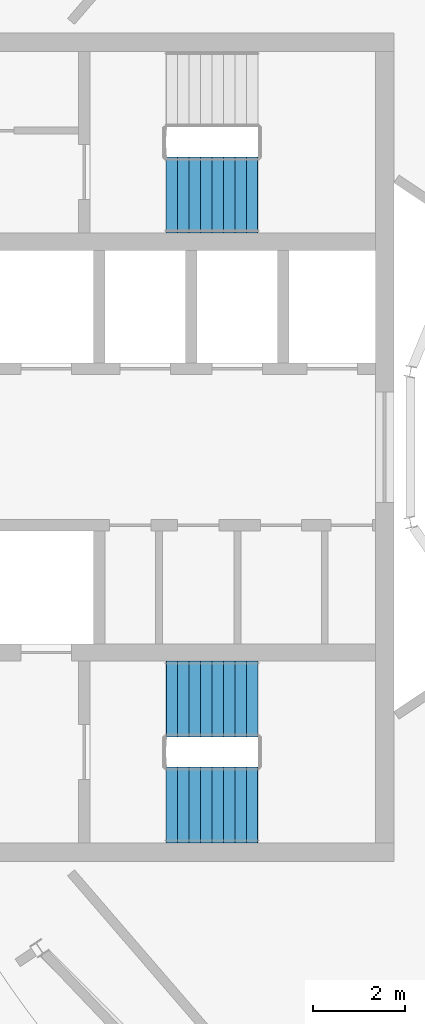
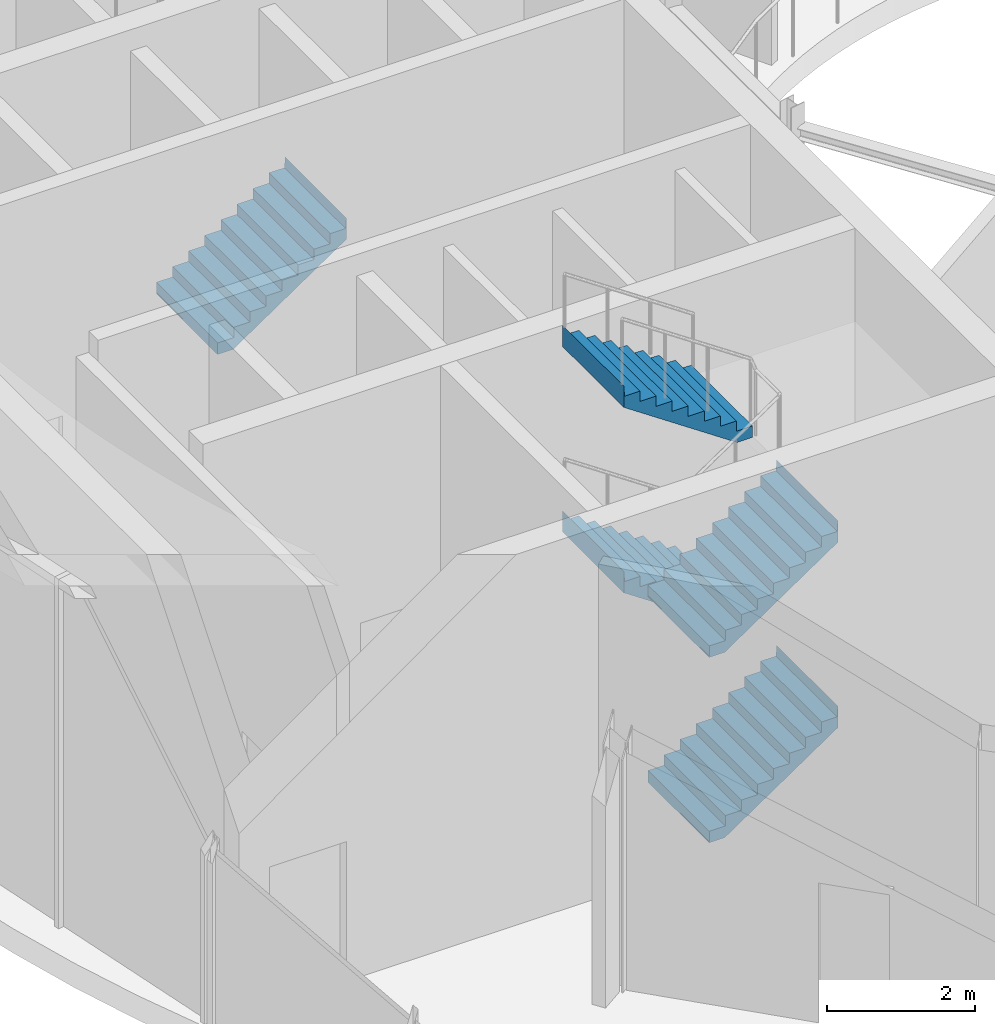
# One storey, part 15 of 20: 5 stair flights, 2 elements without a shape of their own.
"""IFC4 building model written with IfcOpenShell, lengths in metres."""

from ifc_helpers import new_model, si_unit, direction, frame, origin, place, context, subcontext, project, spatial, triangles, material, type_object, element, aggregate, save


model = new_model("IFC4")

# Units and contexts
model_context = context("Model", 3, precision=1e-05, world=origin(), true_north=direction((0.0, 1.0)))
body_context = subcontext(model_context, "Body", "Model", "MODEL_VIEW")
ifc_project = project(units=[si_unit("LENGTHUNIT", "METRE"), si_unit("AREAUNIT", "SQUARE_METRE"), si_unit("VOLUMEUNIT", "CUBIC_METRE"), si_unit("PLANEANGLEUNIT", "RADIAN"), si_unit("MASSUNIT", "GRAM", prefix="KILO")], contexts=[model_context])

# Site, building, storey
site_placement = place(None, origin())
site = spatial("IfcSite", under=ifc_project, at=site_placement, CompositionType="ELEMENT")
building_placement = place(site_placement, origin())
building = spatial("IfcBuilding", under=site, at=building_placement, Name="Maasbend Ring Residences", CompositionType="ELEMENT")
storey_placement = place(building_placement, frame((0.0, 0.0, 255.39990234375)))
storey = spatial("IfcBuildingStorey", under=building, at=storey_placement, Name="L74", CompositionType="ELEMENT", Elevation=255.39990234375)

# Stair, stair flights
ifc_material_1 = material(Name="Concrete C40/50", Category="concrete")
stair_type = type_object("IfcStairType", Name="CORE STAIR 36 RISERS", PredefinedType="HALF_TURN_STAIR", material=ifc_material_1)
stair_1_placement = place(storey_placement, origin())
stair_1 = element("IfcStair", 1, at=stair_1_placement, inside=storey, type_object=stair_type, Name="L74 Exit stair ST-W1", PredefinedType="HALF_TURN_STAIR")
ifc_material_2 = material(Name="Concrete C40/50", Category="concrete")
stair_flight_type = type_object("IfcStairFlightType", Name="CORE STAIR FLIGHT 1650", PredefinedType="STRAIGHT", material=ifc_material_2)
stair_flight_1_placement = place(storey_placement, frame((-13.550048828125, -7.77490234375, 0.0), z_axis=(0.0, 0.0, 1.0), x_axis=(1.0, 0.0, 0.0)))
stair_flight_1 = element("IfcStairFlight", 2, at=stair_flight_1_placement, type_object=stair_flight_type, Name="ST-W1 flight 1", NumberOfRisers=9, NumberOfTreads=8, PredefinedType="STRAIGHT", RiserHeight=0.169444444, TreadLength=0.25, context=body_context, shape_type="Tessellation", body=[
    triangles([(0.24072265625, 0.824951171875, -0.02001953125), (2.0029296875, 0.824951171875, 1.174560546875), (2.0029296875, 0.824951171875, 1.52490234375), (1.989990234375, 0.824951171875, 1.35546875), (1.75, 0.824951171875, 1.35546875), (1.75, 0.824951171875, 1.18603515625), (1.5, 0.824951171875, 1.18603515625), (1.5, 0.824951171875, 1.0166015625), (1.25, 0.824951171875, 1.0166015625), (1.25, 0.824951171875, 0.84716796875), (1.0, 0.824951171875, 0.84716796875), (1.0, 0.824951171875, 0.677734375), (0.75, 0.824951171875, 0.677734375), (0.75, 0.824951171875, 0.50830078125), (0.5, 0.824951171875, 0.50830078125), (0.5, 0.824951171875, 0.3388671875), (0.25, 0.824951171875, 0.3388671875), (0.25, 0.824951171875, 0.16943359375), (0.0, 0.824951171875, 0.16943359375), (0.0, 0.824951171875, 0.0), (-0.0029296875, 0.824951171875, 0.0), (-0.0029296875, 0.824951171875, -0.02001953125), (0.24072265625, 0.27490234375, -0.02001953125), (2.0029296875, 0.27490234375, 1.174560546875), (2.0029296875, 0.27490234375, 1.52490234375), (1.989990234375, 0.27490234375, 1.35546875), (1.75, 0.27490234375, 1.35546875), (1.75, 0.27490234375, 1.18603515625), (1.5, 0.27490234375, 1.18603515625), (1.5, 0.27490234375, 1.0166015625), (1.25, 0.27490234375, 1.0166015625), (1.25, 0.27490234375, 0.84716796875), (1.0, 0.27490234375, 0.84716796875), (1.0, 0.27490234375, 0.677734375), (0.75, 0.27490234375, 0.677734375), (0.75, 0.27490234375, 0.50830078125), (0.5, 0.27490234375, 0.50830078125), (0.5, 0.27490234375, 0.3388671875), (0.25, 0.27490234375, 0.3388671875), (0.25, 0.27490234375, 0.16943359375), (0.0, 0.27490234375, 0.16943359375), (0.0, 0.27490234375, 0.0), (-0.0029296875, 0.27490234375, 0.0), (-0.0029296875, 0.27490234375, -0.02001953125), (0.24072265625, -0.27490234375, -0.02001953125), (2.0029296875, -0.27490234375, 1.174560546875), (2.0029296875, -0.27490234375, 1.52490234375), (1.989990234375, -0.27490234375, 1.35546875), (1.75, -0.27490234375, 1.35546875), (1.75, -0.27490234375, 1.18603515625), (1.5, -0.27490234375, 1.18603515625), (1.5, -0.27490234375, 1.0166015625), (1.25, -0.27490234375, 1.0166015625), (1.25, -0.27490234375, 0.84716796875), (1.0, -0.27490234375, 0.84716796875), (1.0, -0.27490234375, 0.677734375), (0.75, -0.27490234375, 0.677734375), (0.75, -0.27490234375, 0.50830078125), (0.5, -0.27490234375, 0.50830078125), (0.5, -0.27490234375, 0.3388671875), (0.25, -0.27490234375, 0.3388671875), (0.25, -0.27490234375, 0.16943359375), (0.0, -0.27490234375, 0.16943359375), (0.0, -0.27490234375, 0.0), (-0.0029296875, -0.27490234375, 0.0), (-0.0029296875, -0.27490234375, -0.02001953125), (0.24072265625, -0.824951171875, -0.02001953125), (2.0029296875, -0.824951171875, 1.174560546875), (2.0029296875, -0.824951171875, 1.52490234375), (1.989990234375, -0.824951171875, 1.35546875), (1.75, -0.824951171875, 1.35546875), (1.75, -0.824951171875, 1.18603515625), (1.5, -0.824951171875, 1.18603515625), (1.5, -0.824951171875, 1.0166015625), (1.25, -0.824951171875, 1.0166015625), (1.25, -0.824951171875, 0.84716796875), (1.0, -0.824951171875, 0.84716796875), (1.0, -0.824951171875, 0.677734375), (0.75, -0.824951171875, 0.677734375), (0.75, -0.824951171875, 0.50830078125), (0.5, -0.824951171875, 0.50830078125), (0.5, -0.824951171875, 0.3388671875), (0.25, -0.824951171875, 0.3388671875), (0.25, -0.824951171875, 0.16943359375), (0.0, -0.824951171875, 0.16943359375), (0.0, -0.824951171875, 0.0), (-0.0029296875, -0.824951171875, 0.0), (-0.0029296875, -0.824951171875, -0.02001953125)], [[1, 2, 24], [1, 24, 23], [23, 24, 46], [23, 46, 45], [45, 46, 68], [45, 68, 67], [2, 3, 25], [2, 25, 24], [24, 25, 47], [24, 47, 46], [46, 47, 69], [46, 69, 68], [3, 4, 26], [3, 26, 25], [25, 26, 48], [25, 48, 47], [47, 48, 70], [47, 70, 69], [4, 5, 27], [4, 27, 26], [26, 27, 49], [26, 49, 48], [48, 49, 71], [48, 71, 70], [5, 6, 28], [5, 28, 27], [27, 28, 50], [27, 50, 49], [49, 50, 72], [49, 72, 71], [6, 7, 29], [6, 29, 28], [28, 29, 51], [28, 51, 50], [50, 51, 73], [50, 73, 72], [7, 8, 30], [7, 30, 29], [29, 30, 52], [29, 52, 51], [51, 52, 74], [51, 74, 73], [8, 9, 31], [8, 31, 30], [30, 31, 53], [30, 53, 52], [52, 53, 75], [52, 75, 74], [9, 10, 32], [9, 32, 31], [31, 32, 54], [31, 54, 53], [53, 54, 76], [53, 76, 75], [10, 11, 33], [10, 33, 32], [32, 33, 55], [32, 55, 54], [54, 55, 77], [54, 77, 76], [11, 12, 34], [11, 34, 33], [33, 34, 56], [33, 56, 55], [55, 56, 78], [55, 78, 77], [12, 13, 35], [12, 35, 34], [34, 35, 57], [34, 57, 56], [56, 57, 79], [56, 79, 78], [13, 14, 36], [13, 36, 35], [35, 36, 58], [35, 58, 57], [57, 58, 80], [57, 80, 79], [14, 15, 37], [14, 37, 36], [36, 37, 59], [36, 59, 58], [58, 59, 81], [58, 81, 80], [15, 16, 38], [15, 38, 37], [37, 38, 60], [37, 60, 59], [59, 60, 82], [59, 82, 81], [16, 17, 39], [16, 39, 38], [38, 39, 61], [38, 61, 60], [60, 61, 83], [60, 83, 82], [17, 18, 40], [17, 40, 39], [39, 40, 62], [39, 62, 61], [61, 62, 84], [61, 84, 83], [18, 19, 41], [18, 41, 40], [40, 41, 63], [40, 63, 62], [62, 63, 85], [62, 85, 84], [19, 20, 42], [19, 42, 41], [41, 42, 64], [41, 64, 63], [63, 64, 86], [63, 86, 85], [20, 21, 43], [20, 43, 42], [42, 43, 65], [42, 65, 64], [64, 65, 87], [64, 87, 86], [21, 22, 44], [21, 44, 43], [43, 44, 66], [43, 66, 65], [65, 66, 88], [65, 88, 87], [22, 1, 23], [22, 23, 44], [44, 23, 45], [44, 45, 66], [66, 45, 67], [66, 67, 88], [22, 2, 1], [2, 4, 3], [2, 5, 4], [2, 6, 5], [22, 6, 2], [6, 8, 7], [22, 8, 6], [8, 10, 9], [22, 10, 8], [10, 12, 11], [22, 12, 10], [12, 14, 13], [22, 14, 12], [14, 16, 15], [22, 16, 14], [16, 18, 17], [22, 18, 16], [18, 20, 19], [22, 20, 18], [20, 22, 21], [88, 67, 68], [68, 69, 70], [68, 70, 71], [68, 71, 72], [88, 68, 72], [72, 73, 74], [88, 72, 74], [74, 75, 76], [88, 74, 76], [76, 77, 78], [88, 76, 78], [78, 79, 80], [88, 78, 80], [80, 81, 82], [88, 80, 82], [82, 83, 84], [88, 82, 84], [84, 85, 86], [88, 84, 86], [86, 87, 88]], closed=True),
])
stair_flight_2_placement = place(storey_placement, frame((-11.550048828125, -5.47509765625, 1.525146484375), z_axis=(0.0, 0.0, 1.0), x_axis=(-1.0, 0.0, 0.0)))
stair_flight_2 = element("IfcStairFlight", 3, at=stair_flight_2_placement, type_object=stair_flight_type, Name="ST-W1 flight 2", NumberOfRisers=9, NumberOfTreads=8, PredefinedType="STRAIGHT", RiserHeight=0.169444444, TreadLength=0.25, context=body_context, shape_type="Tessellation", body=[
    triangles([(0.24072265625, 0.824951171875, -0.02001953125), (2.0029296875, 0.824951171875, 1.174560546875), (2.0029296875, 0.824951171875, 1.52490234375), (1.989990234375, 0.824951171875, 1.35546875), (1.75, 0.824951171875, 1.35546875), (1.75, 0.824951171875, 1.18603515625), (1.5, 0.824951171875, 1.18603515625), (1.5, 0.824951171875, 1.0166015625), (1.25, 0.824951171875, 1.0166015625), (1.25, 0.824951171875, 0.84716796875), (1.0, 0.824951171875, 0.84716796875), (1.0, 0.824951171875, 0.677734375), (0.75, 0.824951171875, 0.677734375), (0.75, 0.824951171875, 0.50830078125), (0.5, 0.824951171875, 0.50830078125), (0.5, 0.824951171875, 0.3388671875), (0.25, 0.824951171875, 0.3388671875), (0.25, 0.824951171875, 0.16943359375), (0.0, 0.824951171875, 0.16943359375), (0.0, 0.824951171875, 0.0), (-0.0029296875, 0.824951171875, 0.0), (-0.0029296875, 0.824951171875, -0.02001953125), (0.24072265625, 0.27490234375, -0.02001953125), (2.0029296875, 0.27490234375, 1.174560546875), (2.0029296875, 0.27490234375, 1.52490234375), (1.989990234375, 0.27490234375, 1.35546875), (1.75, 0.27490234375, 1.35546875), (1.75, 0.27490234375, 1.18603515625), (1.5, 0.27490234375, 1.18603515625), (1.5, 0.27490234375, 1.0166015625), (1.25, 0.27490234375, 1.0166015625), (1.25, 0.27490234375, 0.84716796875), (1.0, 0.27490234375, 0.84716796875), (1.0, 0.27490234375, 0.677734375), (0.75, 0.27490234375, 0.677734375), (0.75, 0.27490234375, 0.50830078125), (0.5, 0.27490234375, 0.50830078125), (0.5, 0.27490234375, 0.3388671875), (0.25, 0.27490234375, 0.3388671875), (0.25, 0.27490234375, 0.16943359375), (0.0, 0.27490234375, 0.16943359375), (0.0, 0.27490234375, 0.0), (-0.0029296875, 0.27490234375, 0.0), (-0.0029296875, 0.27490234375, -0.02001953125), (0.24072265625, -0.27490234375, -0.02001953125), (2.0029296875, -0.27490234375, 1.174560546875), (2.0029296875, -0.27490234375, 1.52490234375), (1.989990234375, -0.27490234375, 1.35546875), (1.75, -0.27490234375, 1.35546875), (1.75, -0.27490234375, 1.18603515625), (1.5, -0.27490234375, 1.18603515625), (1.5, -0.27490234375, 1.0166015625), (1.25, -0.27490234375, 1.0166015625), (1.25, -0.27490234375, 0.84716796875), (1.0, -0.27490234375, 0.84716796875), (1.0, -0.27490234375, 0.677734375), (0.75, -0.27490234375, 0.677734375), (0.75, -0.27490234375, 0.50830078125), (0.5, -0.27490234375, 0.50830078125), (0.5, -0.27490234375, 0.3388671875), (0.25, -0.27490234375, 0.3388671875), (0.25, -0.27490234375, 0.16943359375), (0.0, -0.27490234375, 0.16943359375), (0.0, -0.27490234375, 0.0), (-0.0029296875, -0.27490234375, 0.0), (-0.0029296875, -0.27490234375, -0.02001953125), (0.24072265625, -0.824951171875, -0.02001953125), (2.0029296875, -0.824951171875, 1.174560546875), (2.0029296875, -0.824951171875, 1.52490234375), (1.989990234375, -0.824951171875, 1.35546875), (1.75, -0.824951171875, 1.35546875), (1.75, -0.824951171875, 1.18603515625), (1.5, -0.824951171875, 1.18603515625), (1.5, -0.824951171875, 1.0166015625), (1.25, -0.824951171875, 1.0166015625), (1.25, -0.824951171875, 0.84716796875), (1.0, -0.824951171875, 0.84716796875), (1.0, -0.824951171875, 0.677734375), (0.75, -0.824951171875, 0.677734375), (0.75, -0.824951171875, 0.50830078125), (0.5, -0.824951171875, 0.50830078125), (0.5, -0.824951171875, 0.3388671875), (0.25, -0.824951171875, 0.3388671875), (0.25, -0.824951171875, 0.16943359375), (0.0, -0.824951171875, 0.16943359375), (0.0, -0.824951171875, 0.0), (-0.0029296875, -0.824951171875, 0.0), (-0.0029296875, -0.824951171875, -0.02001953125)], [[1, 2, 24], [1, 24, 23], [23, 24, 46], [23, 46, 45], [45, 46, 68], [45, 68, 67], [2, 3, 25], [2, 25, 24], [24, 25, 47], [24, 47, 46], [46, 47, 69], [46, 69, 68], [3, 4, 26], [3, 26, 25], [25, 26, 48], [25, 48, 47], [47, 48, 70], [47, 70, 69], [4, 5, 27], [4, 27, 26], [26, 27, 49], [26, 49, 48], [48, 49, 71], [48, 71, 70], [5, 6, 28], [5, 28, 27], [27, 28, 50], [27, 50, 49], [49, 50, 72], [49, 72, 71], [6, 7, 29], [6, 29, 28], [28, 29, 51], [28, 51, 50], [50, 51, 73], [50, 73, 72], [7, 8, 30], [7, 30, 29], [29, 30, 52], [29, 52, 51], [51, 52, 74], [51, 74, 73], [8, 9, 31], [8, 31, 30], [30, 31, 53], [30, 53, 52], [52, 53, 75], [52, 75, 74], [9, 10, 32], [9, 32, 31], [31, 32, 54], [31, 54, 53], [53, 54, 76], [53, 76, 75], [10, 11, 33], [10, 33, 32], [32, 33, 55], [32, 55, 54], [54, 55, 77], [54, 77, 76], [11, 12, 34], [11, 34, 33], [33, 34, 56], [33, 56, 55], [55, 56, 78], [55, 78, 77], [12, 13, 35], [12, 35, 34], [34, 35, 57], [34, 57, 56], [56, 57, 79], [56, 79, 78], [13, 14, 36], [13, 36, 35], [35, 36, 58], [35, 58, 57], [57, 58, 80], [57, 80, 79], [14, 15, 37], [14, 37, 36], [36, 37, 59], [36, 59, 58], [58, 59, 81], [58, 81, 80], [15, 16, 38], [15, 38, 37], [37, 38, 60], [37, 60, 59], [59, 60, 82], [59, 82, 81], [16, 17, 39], [16, 39, 38], [38, 39, 61], [38, 61, 60], [60, 61, 83], [60, 83, 82], [17, 18, 40], [17, 40, 39], [39, 40, 62], [39, 62, 61], [61, 62, 84], [61, 84, 83], [18, 19, 41], [18, 41, 40], [40, 41, 63], [40, 63, 62], [62, 63, 85], [62, 85, 84], [19, 20, 42], [19, 42, 41], [41, 42, 64], [41, 64, 63], [63, 64, 86], [63, 86, 85], [20, 21, 43], [20, 43, 42], [42, 43, 65], [42, 65, 64], [64, 65, 87], [64, 87, 86], [21, 22, 44], [21, 44, 43], [43, 44, 66], [43, 66, 65], [65, 66, 88], [65, 88, 87], [22, 1, 23], [22, 23, 44], [44, 23, 45], [44, 45, 66], [66, 45, 67], [66, 67, 88], [22, 2, 1], [2, 4, 3], [2, 5, 4], [2, 6, 5], [22, 6, 2], [6, 8, 7], [22, 8, 6], [8, 10, 9], [22, 10, 8], [10, 12, 11], [22, 12, 10], [12, 14, 13], [22, 14, 12], [14, 16, 15], [22, 16, 14], [16, 18, 17], [22, 18, 16], [18, 20, 19], [22, 20, 18], [20, 22, 21], [88, 67, 68], [68, 69, 70], [68, 70, 71], [68, 71, 72], [88, 68, 72], [72, 73, 74], [88, 72, 74], [74, 75, 76], [88, 74, 76], [76, 77, 78], [88, 76, 78], [78, 79, 80], [88, 78, 80], [80, 81, 82], [88, 80, 82], [82, 83, 84], [88, 82, 84], [84, 85, 86], [88, 84, 86], [86, 87, 88]], closed=True),
])
stair_flight_3_placement = place(storey_placement, frame((-13.550048828125, -7.77490234375, 3.050048828125), z_axis=(0.0, 0.0, 1.0), x_axis=(1.0, 0.0, 0.0)))
stair_flight_3 = element("IfcStairFlight", 4, at=stair_flight_3_placement, type_object=stair_flight_type, Name="ST-W1 flight 3", NumberOfRisers=9, NumberOfTreads=8, PredefinedType="STRAIGHT", RiserHeight=0.169444444, TreadLength=0.25, context=body_context, shape_type="Tessellation", body=[
    triangles([(0.24072265625, 0.824951171875, -0.02001953125), (2.0029296875, 0.824951171875, 1.174560546875), (2.0029296875, 0.824951171875, 1.52490234375), (1.989990234375, 0.824951171875, 1.35546875), (1.75, 0.824951171875, 1.35546875), (1.75, 0.824951171875, 1.18603515625), (1.5, 0.824951171875, 1.18603515625), (1.5, 0.824951171875, 1.0166015625), (1.25, 0.824951171875, 1.0166015625), (1.25, 0.824951171875, 0.84716796875), (1.0, 0.824951171875, 0.84716796875), (1.0, 0.824951171875, 0.677734375), (0.75, 0.824951171875, 0.677734375), (0.75, 0.824951171875, 0.50830078125), (0.5, 0.824951171875, 0.50830078125), (0.5, 0.824951171875, 0.3388671875), (0.25, 0.824951171875, 0.3388671875), (0.25, 0.824951171875, 0.16943359375), (0.0, 0.824951171875, 0.16943359375), (0.0, 0.824951171875, 0.0), (-0.0029296875, 0.824951171875, 0.0), (-0.0029296875, 0.824951171875, -0.02001953125), (0.24072265625, 0.27490234375, -0.02001953125), (2.0029296875, 0.27490234375, 1.174560546875), (2.0029296875, 0.27490234375, 1.52490234375), (1.989990234375, 0.27490234375, 1.35546875), (1.75, 0.27490234375, 1.35546875), (1.75, 0.27490234375, 1.18603515625), (1.5, 0.27490234375, 1.18603515625), (1.5, 0.27490234375, 1.0166015625), (1.25, 0.27490234375, 1.0166015625), (1.25, 0.27490234375, 0.84716796875), (1.0, 0.27490234375, 0.84716796875), (1.0, 0.27490234375, 0.677734375), (0.75, 0.27490234375, 0.677734375), (0.75, 0.27490234375, 0.50830078125), (0.5, 0.27490234375, 0.50830078125), (0.5, 0.27490234375, 0.3388671875), (0.25, 0.27490234375, 0.3388671875), (0.25, 0.27490234375, 0.16943359375), (0.0, 0.27490234375, 0.16943359375), (0.0, 0.27490234375, 0.0), (-0.0029296875, 0.27490234375, 0.0), (-0.0029296875, 0.27490234375, -0.02001953125), (0.24072265625, -0.27490234375, -0.02001953125), (2.0029296875, -0.27490234375, 1.174560546875), (2.0029296875, -0.27490234375, 1.52490234375), (1.989990234375, -0.27490234375, 1.35546875), (1.75, -0.27490234375, 1.35546875), (1.75, -0.27490234375, 1.18603515625), (1.5, -0.27490234375, 1.18603515625), (1.5, -0.27490234375, 1.0166015625), (1.25, -0.27490234375, 1.0166015625), (1.25, -0.27490234375, 0.84716796875), (1.0, -0.27490234375, 0.84716796875), (1.0, -0.27490234375, 0.677734375), (0.75, -0.27490234375, 0.677734375), (0.75, -0.27490234375, 0.50830078125), (0.5, -0.27490234375, 0.50830078125), (0.5, -0.27490234375, 0.3388671875), (0.25, -0.27490234375, 0.3388671875), (0.25, -0.27490234375, 0.16943359375), (0.0, -0.27490234375, 0.16943359375), (0.0, -0.27490234375, 0.0), (-0.0029296875, -0.27490234375, 0.0), (-0.0029296875, -0.27490234375, -0.02001953125), (0.24072265625, -0.824951171875, -0.02001953125), (2.0029296875, -0.824951171875, 1.174560546875), (2.0029296875, -0.824951171875, 1.52490234375), (1.989990234375, -0.824951171875, 1.35546875), (1.75, -0.824951171875, 1.35546875), (1.75, -0.824951171875, 1.18603515625), (1.5, -0.824951171875, 1.18603515625), (1.5, -0.824951171875, 1.0166015625), (1.25, -0.824951171875, 1.0166015625), (1.25, -0.824951171875, 0.84716796875), (1.0, -0.824951171875, 0.84716796875), (1.0, -0.824951171875, 0.677734375), (0.75, -0.824951171875, 0.677734375), (0.75, -0.824951171875, 0.50830078125), (0.5, -0.824951171875, 0.50830078125), (0.5, -0.824951171875, 0.3388671875), (0.25, -0.824951171875, 0.3388671875), (0.25, -0.824951171875, 0.16943359375), (0.0, -0.824951171875, 0.16943359375), (0.0, -0.824951171875, 0.0), (-0.0029296875, -0.824951171875, 0.0), (-0.0029296875, -0.824951171875, -0.02001953125)], [[1, 2, 24], [1, 24, 23], [23, 24, 46], [23, 46, 45], [45, 46, 68], [45, 68, 67], [2, 3, 25], [2, 25, 24], [24, 25, 47], [24, 47, 46], [46, 47, 69], [46, 69, 68], [3, 4, 26], [3, 26, 25], [25, 26, 48], [25, 48, 47], [47, 48, 70], [47, 70, 69], [4, 5, 27], [4, 27, 26], [26, 27, 49], [26, 49, 48], [48, 49, 71], [48, 71, 70], [5, 6, 28], [5, 28, 27], [27, 28, 50], [27, 50, 49], [49, 50, 72], [49, 72, 71], [6, 7, 29], [6, 29, 28], [28, 29, 51], [28, 51, 50], [50, 51, 73], [50, 73, 72], [7, 8, 30], [7, 30, 29], [29, 30, 52], [29, 52, 51], [51, 52, 74], [51, 74, 73], [8, 9, 31], [8, 31, 30], [30, 31, 53], [30, 53, 52], [52, 53, 75], [52, 75, 74], [9, 10, 32], [9, 32, 31], [31, 32, 54], [31, 54, 53], [53, 54, 76], [53, 76, 75], [10, 11, 33], [10, 33, 32], [32, 33, 55], [32, 55, 54], [54, 55, 77], [54, 77, 76], [11, 12, 34], [11, 34, 33], [33, 34, 56], [33, 56, 55], [55, 56, 78], [55, 78, 77], [12, 13, 35], [12, 35, 34], [34, 35, 57], [34, 57, 56], [56, 57, 79], [56, 79, 78], [13, 14, 36], [13, 36, 35], [35, 36, 58], [35, 58, 57], [57, 58, 80], [57, 80, 79], [14, 15, 37], [14, 37, 36], [36, 37, 59], [36, 59, 58], [58, 59, 81], [58, 81, 80], [15, 16, 38], [15, 38, 37], [37, 38, 60], [37, 60, 59], [59, 60, 82], [59, 82, 81], [16, 17, 39], [16, 39, 38], [38, 39, 61], [38, 61, 60], [60, 61, 83], [60, 83, 82], [17, 18, 40], [17, 40, 39], [39, 40, 62], [39, 62, 61], [61, 62, 84], [61, 84, 83], [18, 19, 41], [18, 41, 40], [40, 41, 63], [40, 63, 62], [62, 63, 85], [62, 85, 84], [19, 20, 42], [19, 42, 41], [41, 42, 64], [41, 64, 63], [63, 64, 86], [63, 86, 85], [20, 21, 43], [20, 43, 42], [42, 43, 65], [42, 65, 64], [64, 65, 87], [64, 87, 86], [21, 22, 44], [21, 44, 43], [43, 44, 66], [43, 66, 65], [65, 66, 88], [65, 88, 87], [22, 1, 23], [22, 23, 44], [44, 23, 45], [44, 45, 66], [66, 45, 67], [66, 67, 88], [22, 2, 1], [2, 4, 3], [2, 5, 4], [2, 6, 5], [22, 6, 2], [6, 8, 7], [22, 8, 6], [8, 10, 9], [22, 10, 8], [10, 12, 11], [22, 12, 10], [12, 14, 13], [22, 14, 12], [14, 16, 15], [22, 16, 14], [16, 18, 17], [22, 18, 16], [18, 20, 19], [22, 20, 18], [20, 22, 21], [88, 67, 68], [68, 69, 70], [68, 70, 71], [68, 71, 72], [88, 68, 72], [72, 73, 74], [88, 72, 74], [74, 75, 76], [88, 74, 76], [76, 77, 78], [88, 76, 78], [78, 79, 80], [88, 78, 80], [80, 81, 82], [88, 80, 82], [82, 83, 84], [88, 82, 84], [84, 85, 86], [88, 84, 86], [86, 87, 88]], closed=True),
])
stair_flight_4_placement = place(storey_placement, frame((-11.550048828125, -5.47509765625, 4.5751953125), z_axis=(0.0, 0.0, 1.0), x_axis=(-1.0, 0.0, 0.0)))
stair_flight_4 = element("IfcStairFlight", 5, at=stair_flight_4_placement, type_object=stair_flight_type, Name="ST-W1 flight 4", NumberOfRisers=9, NumberOfTreads=8, PredefinedType="STRAIGHT", RiserHeight=0.169444444, TreadLength=0.25, context=body_context, shape_type="Tessellation", body=[
    triangles([(0.24072265625, 0.824951171875, -0.02001953125), (2.0029296875, 0.824951171875, 1.174560546875), (2.0029296875, 0.824951171875, 1.52490234375), (1.989990234375, 0.824951171875, 1.35546875), (1.75, 0.824951171875, 1.35546875), (1.75, 0.824951171875, 1.18603515625), (1.5, 0.824951171875, 1.18603515625), (1.5, 0.824951171875, 1.0166015625), (1.25, 0.824951171875, 1.0166015625), (1.25, 0.824951171875, 0.84716796875), (1.0, 0.824951171875, 0.84716796875), (1.0, 0.824951171875, 0.677734375), (0.75, 0.824951171875, 0.677734375), (0.75, 0.824951171875, 0.50830078125), (0.5, 0.824951171875, 0.50830078125), (0.5, 0.824951171875, 0.3388671875), (0.25, 0.824951171875, 0.3388671875), (0.25, 0.824951171875, 0.16943359375), (0.0, 0.824951171875, 0.16943359375), (0.0, 0.824951171875, 0.0), (-0.0029296875, 0.824951171875, 0.0), (-0.0029296875, 0.824951171875, -0.02001953125), (0.24072265625, 0.27490234375, -0.02001953125), (2.0029296875, 0.27490234375, 1.174560546875), (2.0029296875, 0.27490234375, 1.52490234375), (1.989990234375, 0.27490234375, 1.35546875), (1.75, 0.27490234375, 1.35546875), (1.75, 0.27490234375, 1.18603515625), (1.5, 0.27490234375, 1.18603515625), (1.5, 0.27490234375, 1.0166015625), (1.25, 0.27490234375, 1.0166015625), (1.25, 0.27490234375, 0.84716796875), (1.0, 0.27490234375, 0.84716796875), (1.0, 0.27490234375, 0.677734375), (0.75, 0.27490234375, 0.677734375), (0.75, 0.27490234375, 0.50830078125), (0.5, 0.27490234375, 0.50830078125), (0.5, 0.27490234375, 0.3388671875), (0.25, 0.27490234375, 0.3388671875), (0.25, 0.27490234375, 0.16943359375), (0.0, 0.27490234375, 0.16943359375), (0.0, 0.27490234375, 0.0), (-0.0029296875, 0.27490234375, 0.0), (-0.0029296875, 0.27490234375, -0.02001953125), (0.24072265625, -0.27490234375, -0.02001953125), (2.0029296875, -0.27490234375, 1.174560546875), (2.0029296875, -0.27490234375, 1.52490234375), (1.989990234375, -0.27490234375, 1.35546875), (1.75, -0.27490234375, 1.35546875), (1.75, -0.27490234375, 1.18603515625), (1.5, -0.27490234375, 1.18603515625), (1.5, -0.27490234375, 1.0166015625), (1.25, -0.27490234375, 1.0166015625), (1.25, -0.27490234375, 0.84716796875), (1.0, -0.27490234375, 0.84716796875), (1.0, -0.27490234375, 0.677734375), (0.75, -0.27490234375, 0.677734375), (0.75, -0.27490234375, 0.50830078125), (0.5, -0.27490234375, 0.50830078125), (0.5, -0.27490234375, 0.3388671875), (0.25, -0.27490234375, 0.3388671875), (0.25, -0.27490234375, 0.16943359375), (0.0, -0.27490234375, 0.16943359375), (0.0, -0.27490234375, 0.0), (-0.0029296875, -0.27490234375, 0.0), (-0.0029296875, -0.27490234375, -0.02001953125), (0.24072265625, -0.824951171875, -0.02001953125), (2.0029296875, -0.824951171875, 1.174560546875), (2.0029296875, -0.824951171875, 1.52490234375), (1.989990234375, -0.824951171875, 1.35546875), (1.75, -0.824951171875, 1.35546875), (1.75, -0.824951171875, 1.18603515625), (1.5, -0.824951171875, 1.18603515625), (1.5, -0.824951171875, 1.0166015625), (1.25, -0.824951171875, 1.0166015625), (1.25, -0.824951171875, 0.84716796875), (1.0, -0.824951171875, 0.84716796875), (1.0, -0.824951171875, 0.677734375), (0.75, -0.824951171875, 0.677734375), (0.75, -0.824951171875, 0.50830078125), (0.5, -0.824951171875, 0.50830078125), (0.5, -0.824951171875, 0.3388671875), (0.25, -0.824951171875, 0.3388671875), (0.25, -0.824951171875, 0.16943359375), (0.0, -0.824951171875, 0.16943359375), (0.0, -0.824951171875, 0.0), (-0.0029296875, -0.824951171875, 0.0), (-0.0029296875, -0.824951171875, -0.02001953125)], [[1, 2, 24], [1, 24, 23], [23, 24, 46], [23, 46, 45], [45, 46, 68], [45, 68, 67], [2, 3, 25], [2, 25, 24], [24, 25, 47], [24, 47, 46], [46, 47, 69], [46, 69, 68], [3, 4, 26], [3, 26, 25], [25, 26, 48], [25, 48, 47], [47, 48, 70], [47, 70, 69], [4, 5, 27], [4, 27, 26], [26, 27, 49], [26, 49, 48], [48, 49, 71], [48, 71, 70], [5, 6, 28], [5, 28, 27], [27, 28, 50], [27, 50, 49], [49, 50, 72], [49, 72, 71], [6, 7, 29], [6, 29, 28], [28, 29, 51], [28, 51, 50], [50, 51, 73], [50, 73, 72], [7, 8, 30], [7, 30, 29], [29, 30, 52], [29, 52, 51], [51, 52, 74], [51, 74, 73], [8, 9, 31], [8, 31, 30], [30, 31, 53], [30, 53, 52], [52, 53, 75], [52, 75, 74], [9, 10, 32], [9, 32, 31], [31, 32, 54], [31, 54, 53], [53, 54, 76], [53, 76, 75], [10, 11, 33], [10, 33, 32], [32, 33, 55], [32, 55, 54], [54, 55, 77], [54, 77, 76], [11, 12, 34], [11, 34, 33], [33, 34, 56], [33, 56, 55], [55, 56, 78], [55, 78, 77], [12, 13, 35], [12, 35, 34], [34, 35, 57], [34, 57, 56], [56, 57, 79], [56, 79, 78], [13, 14, 36], [13, 36, 35], [35, 36, 58], [35, 58, 57], [57, 58, 80], [57, 80, 79], [14, 15, 37], [14, 37, 36], [36, 37, 59], [36, 59, 58], [58, 59, 81], [58, 81, 80], [15, 16, 38], [15, 38, 37], [37, 38, 60], [37, 60, 59], [59, 60, 82], [59, 82, 81], [16, 17, 39], [16, 39, 38], [38, 39, 61], [38, 61, 60], [60, 61, 83], [60, 83, 82], [17, 18, 40], [17, 40, 39], [39, 40, 62], [39, 62, 61], [61, 62, 84], [61, 84, 83], [18, 19, 41], [18, 41, 40], [40, 41, 63], [40, 63, 62], [62, 63, 85], [62, 85, 84], [19, 20, 42], [19, 42, 41], [41, 42, 64], [41, 64, 63], [63, 64, 86], [63, 86, 85], [20, 21, 43], [20, 43, 42], [42, 43, 65], [42, 65, 64], [64, 65, 87], [64, 87, 86], [21, 22, 44], [21, 44, 43], [43, 44, 66], [43, 66, 65], [65, 66, 88], [65, 88, 87], [22, 1, 23], [22, 23, 44], [44, 23, 45], [44, 45, 66], [66, 45, 67], [66, 67, 88], [22, 2, 1], [2, 4, 3], [2, 5, 4], [2, 6, 5], [22, 6, 2], [6, 8, 7], [22, 8, 6], [8, 10, 9], [22, 10, 8], [10, 12, 11], [22, 12, 10], [12, 14, 13], [22, 14, 12], [14, 16, 15], [22, 16, 14], [16, 18, 17], [22, 18, 16], [18, 20, 19], [22, 20, 18], [20, 22, 21], [88, 67, 68], [68, 69, 70], [68, 70, 71], [68, 71, 72], [88, 68, 72], [72, 73, 74], [88, 72, 74], [74, 75, 76], [88, 74, 76], [76, 77, 78], [88, 76, 78], [78, 79, 80], [88, 78, 80], [80, 81, 82], [88, 80, 82], [82, 83, 84], [88, 82, 84], [84, 85, 86], [88, 84, 86], [86, 87, 88]], closed=True),
])
aggregate(stair_1, [stair_flight_1, stair_flight_2, stair_flight_3, stair_flight_4])

# Stair, stair flight
stair_2_placement = place(storey_placement, origin())
stair_2 = element("IfcStair", 6, at=stair_2_placement, inside=storey, type_object=stair_type, Name="L74 Exit stair ST-W2", PredefinedType="HALF_TURN_STAIR")
stair_flight_5_placement = place(storey_placement, frame((-13.550048828125, 5.47509765625, 0.0), z_axis=(0.0, 0.0, 1.0), x_axis=(1.0, 0.0, 0.0)))
stair_flight_5 = element("IfcStairFlight", 7, at=stair_flight_5_placement, type_object=stair_flight_type, Name="ST-W2 flight 1", NumberOfRisers=9, NumberOfTreads=8, PredefinedType="STRAIGHT", RiserHeight=0.169444444, TreadLength=0.25, context=body_context, shape_type="Tessellation", body=[
    triangles([(0.24072265625, 0.824951171875, -0.02001953125), (2.0029296875, 0.824951171875, 1.174560546875), (2.0029296875, 0.824951171875, 1.52490234375), (1.989990234375, 0.824951171875, 1.35546875), (1.75, 0.824951171875, 1.35546875), (1.75, 0.824951171875, 1.18603515625), (1.5, 0.824951171875, 1.18603515625), (1.5, 0.824951171875, 1.0166015625), (1.25, 0.824951171875, 1.0166015625), (1.25, 0.824951171875, 0.84716796875), (1.0, 0.824951171875, 0.84716796875), (1.0, 0.824951171875, 0.677734375), (0.75, 0.824951171875, 0.677734375), (0.75, 0.824951171875, 0.50830078125), (0.5, 0.824951171875, 0.50830078125), (0.5, 0.824951171875, 0.3388671875), (0.25, 0.824951171875, 0.3388671875), (0.25, 0.824951171875, 0.16943359375), (0.0, 0.824951171875, 0.16943359375), (0.0, 0.824951171875, 0.0), (-0.0029296875, 0.824951171875, 0.0), (-0.0029296875, 0.824951171875, -0.02001953125), (0.24072265625, 0.27490234375, -0.02001953125), (2.0029296875, 0.27490234375, 1.174560546875), (2.0029296875, 0.27490234375, 1.52490234375), (1.989990234375, 0.27490234375, 1.35546875), (1.75, 0.27490234375, 1.35546875), (1.75, 0.27490234375, 1.18603515625), (1.5, 0.27490234375, 1.18603515625), (1.5, 0.27490234375, 1.0166015625), (1.25, 0.27490234375, 1.0166015625), (1.25, 0.27490234375, 0.84716796875), (1.0, 0.27490234375, 0.84716796875), (1.0, 0.27490234375, 0.677734375), (0.75, 0.27490234375, 0.677734375), (0.75, 0.27490234375, 0.50830078125), (0.5, 0.27490234375, 0.50830078125), (0.5, 0.27490234375, 0.3388671875), (0.25, 0.27490234375, 0.3388671875), (0.25, 0.27490234375, 0.16943359375), (0.0, 0.27490234375, 0.16943359375), (0.0, 0.27490234375, 0.0), (-0.0029296875, 0.27490234375, 0.0), (-0.0029296875, 0.27490234375, -0.02001953125), (0.24072265625, -0.27490234375, -0.02001953125), (2.0029296875, -0.27490234375, 1.174560546875), (2.0029296875, -0.27490234375, 1.52490234375), (1.989990234375, -0.27490234375, 1.35546875), (1.75, -0.27490234375, 1.35546875), (1.75, -0.27490234375, 1.18603515625), (1.5, -0.27490234375, 1.18603515625), (1.5, -0.27490234375, 1.0166015625), (1.25, -0.27490234375, 1.0166015625), (1.25, -0.27490234375, 0.84716796875), (1.0, -0.27490234375, 0.84716796875), (1.0, -0.27490234375, 0.677734375), (0.75, -0.27490234375, 0.677734375), (0.75, -0.27490234375, 0.50830078125), (0.5, -0.27490234375, 0.50830078125), (0.5, -0.27490234375, 0.3388671875), (0.25, -0.27490234375, 0.3388671875), (0.25, -0.27490234375, 0.16943359375), (0.0, -0.27490234375, 0.16943359375), (0.0, -0.27490234375, 0.0), (-0.0029296875, -0.27490234375, 0.0), (-0.0029296875, -0.27490234375, -0.02001953125), (0.24072265625, -0.824951171875, -0.02001953125), (2.0029296875, -0.824951171875, 1.174560546875), (2.0029296875, -0.824951171875, 1.52490234375), (1.989990234375, -0.824951171875, 1.35546875), (1.75, -0.824951171875, 1.35546875), (1.75, -0.824951171875, 1.18603515625), (1.5, -0.824951171875, 1.18603515625), (1.5, -0.824951171875, 1.0166015625), (1.25, -0.824951171875, 1.0166015625), (1.25, -0.824951171875, 0.84716796875), (1.0, -0.824951171875, 0.84716796875), (1.0, -0.824951171875, 0.677734375), (0.75, -0.824951171875, 0.677734375), (0.75, -0.824951171875, 0.50830078125), (0.5, -0.824951171875, 0.50830078125), (0.5, -0.824951171875, 0.3388671875), (0.25, -0.824951171875, 0.3388671875), (0.25, -0.824951171875, 0.16943359375), (0.0, -0.824951171875, 0.16943359375), (0.0, -0.824951171875, 0.0), (-0.0029296875, -0.824951171875, 0.0), (-0.0029296875, -0.824951171875, -0.02001953125)], [[1, 2, 24], [1, 24, 23], [23, 24, 46], [23, 46, 45], [45, 46, 68], [45, 68, 67], [2, 3, 25], [2, 25, 24], [24, 25, 47], [24, 47, 46], [46, 47, 69], [46, 69, 68], [3, 4, 26], [3, 26, 25], [25, 26, 48], [25, 48, 47], [47, 48, 70], [47, 70, 69], [4, 5, 27], [4, 27, 26], [26, 27, 49], [26, 49, 48], [48, 49, 71], [48, 71, 70], [5, 6, 28], [5, 28, 27], [27, 28, 50], [27, 50, 49], [49, 50, 72], [49, 72, 71], [6, 7, 29], [6, 29, 28], [28, 29, 51], [28, 51, 50], [50, 51, 73], [50, 73, 72], [7, 8, 30], [7, 30, 29], [29, 30, 52], [29, 52, 51], [51, 52, 74], [51, 74, 73], [8, 9, 31], [8, 31, 30], [30, 31, 53], [30, 53, 52], [52, 53, 75], [52, 75, 74], [9, 10, 32], [9, 32, 31], [31, 32, 54], [31, 54, 53], [53, 54, 76], [53, 76, 75], [10, 11, 33], [10, 33, 32], [32, 33, 55], [32, 55, 54], [54, 55, 77], [54, 77, 76], [11, 12, 34], [11, 34, 33], [33, 34, 56], [33, 56, 55], [55, 56, 78], [55, 78, 77], [12, 13, 35], [12, 35, 34], [34, 35, 57], [34, 57, 56], [56, 57, 79], [56, 79, 78], [13, 14, 36], [13, 36, 35], [35, 36, 58], [35, 58, 57], [57, 58, 80], [57, 80, 79], [14, 15, 37], [14, 37, 36], [36, 37, 59], [36, 59, 58], [58, 59, 81], [58, 81, 80], [15, 16, 38], [15, 38, 37], [37, 38, 60], [37, 60, 59], [59, 60, 82], [59, 82, 81], [16, 17, 39], [16, 39, 38], [38, 39, 61], [38, 61, 60], [60, 61, 83], [60, 83, 82], [17, 18, 40], [17, 40, 39], [39, 40, 62], [39, 62, 61], [61, 62, 84], [61, 84, 83], [18, 19, 41], [18, 41, 40], [40, 41, 63], [40, 63, 62], [62, 63, 85], [62, 85, 84], [19, 20, 42], [19, 42, 41], [41, 42, 64], [41, 64, 63], [63, 64, 86], [63, 86, 85], [20, 21, 43], [20, 43, 42], [42, 43, 65], [42, 65, 64], [64, 65, 87], [64, 87, 86], [21, 22, 44], [21, 44, 43], [43, 44, 66], [43, 66, 65], [65, 66, 88], [65, 88, 87], [22, 1, 23], [22, 23, 44], [44, 23, 45], [44, 45, 66], [66, 45, 67], [66, 67, 88], [22, 2, 1], [2, 4, 3], [2, 5, 4], [2, 6, 5], [22, 6, 2], [6, 8, 7], [22, 8, 6], [8, 10, 9], [22, 10, 8], [10, 12, 11], [22, 12, 10], [12, 14, 13], [22, 14, 12], [14, 16, 15], [22, 16, 14], [16, 18, 17], [22, 18, 16], [18, 20, 19], [22, 20, 18], [20, 22, 21], [88, 67, 68], [68, 69, 70], [68, 70, 71], [68, 71, 72], [88, 68, 72], [72, 73, 74], [88, 72, 74], [74, 75, 76], [88, 74, 76], [76, 77, 78], [88, 76, 78], [78, 79, 80], [88, 78, 80], [80, 81, 82], [88, 80, 82], [82, 83, 84], [88, 82, 84], [84, 85, 86], [88, 84, 86], [86, 87, 88]], closed=True),
])
aggregate(stair_2, [stair_flight_5])

save(model, "model.ifc")
